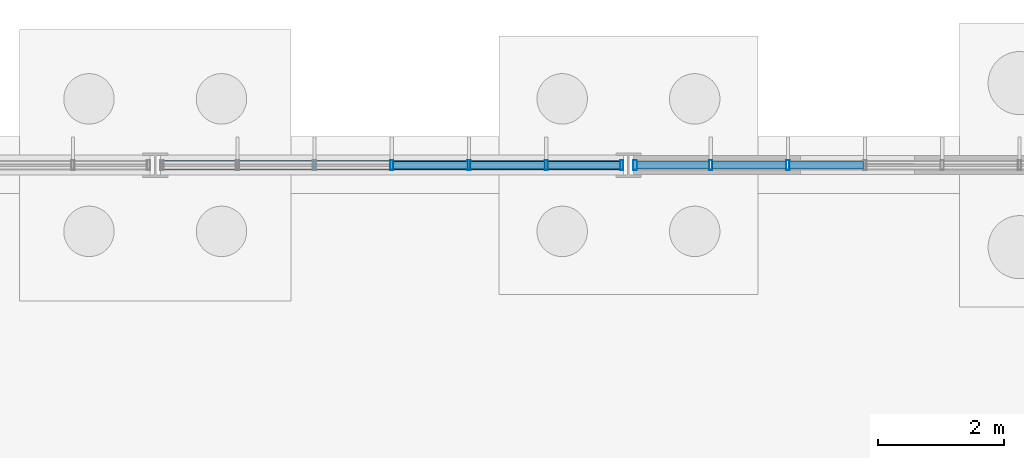
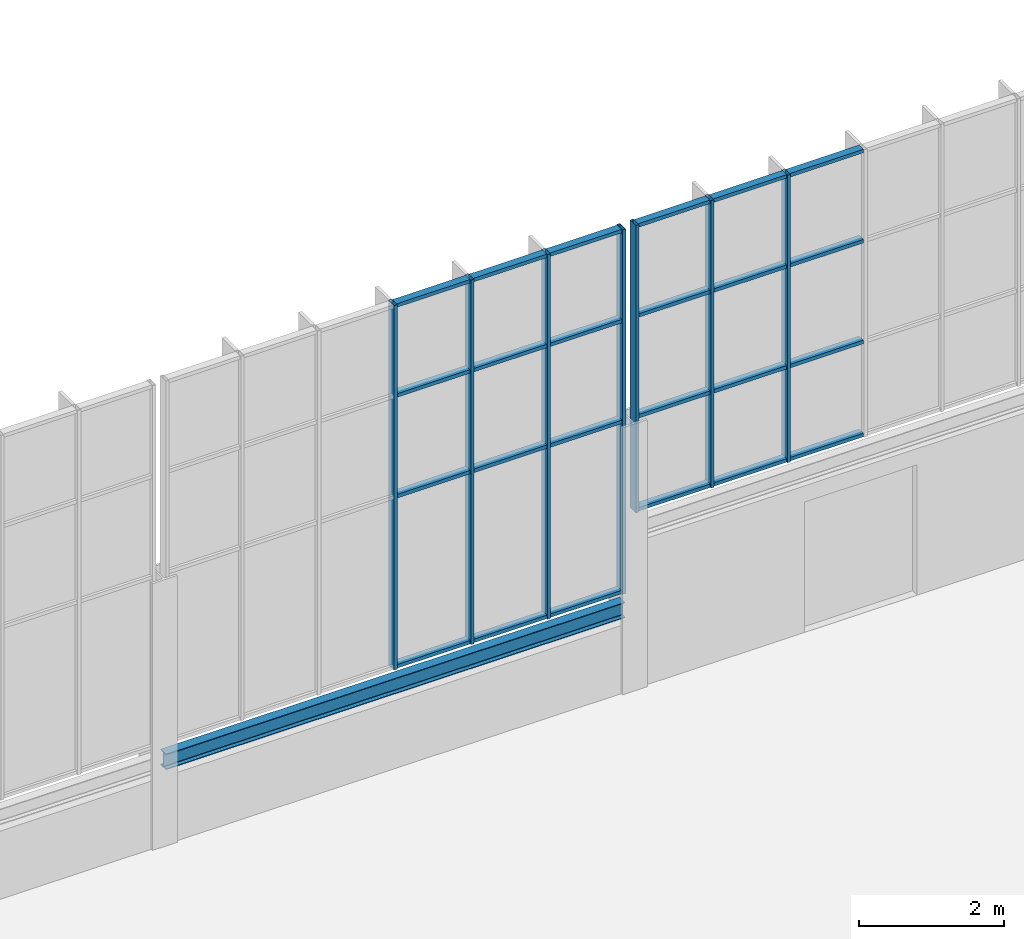
# One storey, part 56 of 136: 31 members, 1 beam, 2 elements without a shape of their own.
"""IFC4 building model written with IfcOpenShell, lengths in metres."""

from ifc_helpers import new_model, si_unit, direction, frame, origin, origin_2d, place, context, subcontext, project, spatial, hollow_rectangle, i_section, extrude, material, layer, layer_set, material_profile, profile_set, type_object, element, aggregate, save


model = new_model("IFC4")

# Units and contexts
model_context = context("Model", 3, precision=1e-05, world=origin(), true_north=direction((0.0, 1.0)))
body_context = subcontext(model_context, "Body", "Model", "MODEL_VIEW")
ifc_project = project(units=[si_unit("LENGTHUNIT", "METRE"), si_unit("AREAUNIT", "SQUARE_METRE"), si_unit("VOLUMEUNIT", "CUBIC_METRE"), si_unit("PLANEANGLEUNIT", "RADIAN"), si_unit("MASSUNIT", "GRAM", prefix="KILO")], contexts=[model_context])

# Site, building, storey
site_placement = place(None, origin())
site = spatial("IfcSite", under=ifc_project, at=site_placement, CompositionType="ELEMENT")
building_placement = place(site_placement, origin())
building = spatial("IfcBuilding", under=site, at=building_placement, Name="Solvenia Promenade Tram Depot", CompositionType="ELEMENT")
storey_placement = place(building_placement, origin())
storey = spatial("IfcBuildingStorey", under=building, at=storey_placement, Name="L00", CompositionType="ELEMENT", Elevation=0.0)

# Curtain wall, members
ifc_material_1 = material(Name="Anodized aluminium AW-6063 T6", Category="aluminium")
ifc_layer = layer(ifc_material_1, 0.159912109375, Name="Anodized aluminium AW-6063 T6", Category="aluminium")
ifc_layer_set = layer_set([ifc_layer], Name="Anodized aluminium AW-6063 T6")
curtain_wall_type = type_object("IfcCurtainWallType", Name="CW-Channel-1200", PredefinedType="NOTDEFINED", material=ifc_layer_set)
curtain_wall_1_placement = place(storey_placement, origin())
curtain_wall_1 = element("IfcCurtainWall", 1, at=curtain_wall_1_placement, inside=storey, type_object=curtain_wall_type, Name="North Translucent Channel-Glass Wall 04", PredefinedType="NOTDEFINED")
ifc_material_profile_1 = material_profile(ifc_material_1, hollow_rectangle(XDim=0.159912109375, YDim=0.052001953125, WallThickness=0.00390625, at=origin_2d()), Name="ALU-M1", Category="aluminium")
ifc_profile_set_1 = profile_set([ifc_material_profile_1], Name="Anodized aluminium AW-6063 T6")
member_type_1 = type_object("IfcMemberType", Name="CWM-Mullion-1", PredefinedType="MULLION", material=ifc_profile_set_1)
member_1_placement = place(storey_placement, frame((26.25, 126.0, 1.60009765625), z_axis=(0.0, 0.0, 1.0), x_axis=(0.0, 1.0, 0.0)))
member_1 = element("IfcMember", 2, at=member_1_placement, type_object=member_type_1, Name="CW-1 mullion 4", PredefinedType="MULLION", context=body_context, shape_type="SweptSolid", body=[
    extrude(hollow_rectangle(XDim=0.159912109375, YDim=0.052001953125, WallThickness=0.00390625, at=origin_2d()), origin(), (0.0, 0.0, 1.0), 6.14990234375),
])
member_2_placement = place(storey_placement, frame((27.473388671875, 126.0, 1.60009765625), z_axis=(0.0, 0.0, 1.0), x_axis=(0.0, 1.0, 0.0)))
member_2 = element("IfcMember", 3, at=member_2_placement, type_object=member_type_1, Name="CW-1 mullion 5", PredefinedType="MULLION", context=body_context, shape_type="SweptSolid", body=[
    extrude(hollow_rectangle(XDim=0.159912109375, YDim=0.052001953125, WallThickness=0.00390625, at=origin_2d()), origin(), (0.0, 0.0, 1.0), 6.14990234375),
])
member_3_placement = place(storey_placement, frame((28.69677734375, 126.0, 1.60009765625), z_axis=(0.0, 0.0, 1.0), x_axis=(0.0, 1.0, 0.0)))
member_3 = element("IfcMember", 4, at=member_3_placement, type_object=member_type_1, Name="CW-1 mullion 6", PredefinedType="MULLION", context=body_context, shape_type="SweptSolid", body=[
    extrude(hollow_rectangle(XDim=0.159912109375, YDim=0.052001953125, WallThickness=0.00390625, at=origin_2d()), origin(), (0.0, 0.0, 1.0), 6.14990234375),
])
member_4_placement = place(storey_placement, frame((29.89404296875, 126.0, 1.60009765625), z_axis=(0.0, 0.0, 1.0), x_axis=(0.0, 1.0, 0.0)))
member_4 = element("IfcMember", 5, at=member_4_placement, type_object=member_type_1, Name="CW-1 mullion 7", PredefinedType="MULLION", context=body_context, shape_type="SweptSolid", body=[
    extrude(hollow_rectangle(XDim=0.159912109375, YDim=0.052001953125, WallThickness=0.00390625, at=origin_2d()), origin(), (0.0, 0.0, 1.0), 6.14990234375),
])

curtain_wall_2_placement = place(storey_placement, origin())
curtain_wall_2 = element("IfcCurtainWall", 6, at=curtain_wall_2_placement, inside=storey, type_object=curtain_wall_type, Name="North Translucent Channel-Glass Wall 05", PredefinedType="NOTDEFINED")
member_5_placement = place(storey_placement, frame((30.10595703125, 126.0, 2.89990234375), z_axis=(0.0, 0.0, 1.0), x_axis=(0.0, 1.0, 0.0)))
member_5 = element("IfcMember", 7, at=member_5_placement, type_object=member_type_1, Name="CW-1 mullion 1", PredefinedType="MULLION", context=body_context, shape_type="SweptSolid", body=[
    extrude(hollow_rectangle(XDim=0.159912109375, YDim=0.052001953125, WallThickness=0.00390625, at=origin_2d()), origin(), (0.0, 0.0, 1.0), 4.85009765625),
])
member_6_placement = place(storey_placement, frame((31.30322265625, 126.0, 2.89990234375), z_axis=(0.0, 0.0, 1.0), x_axis=(0.0, 1.0, 0.0)))
member_6 = element("IfcMember", 8, at=member_6_placement, type_object=member_type_1, Name="CW-1 mullion 2", PredefinedType="MULLION", context=body_context, shape_type="SweptSolid", body=[
    extrude(hollow_rectangle(XDim=0.159912109375, YDim=0.052001953125, WallThickness=0.00390625, at=origin_2d()), origin(), (0.0, 0.0, 1.0), 4.85009765625),
])
member_7_placement = place(storey_placement, frame((32.526611328125, 126.0, 2.89990234375), z_axis=(0.0, 0.0, 1.0), x_axis=(0.0, 1.0, 0.0)))
member_7 = element("IfcMember", 9, at=member_7_placement, type_object=member_type_1, Name="CW-1 mullion 3", PredefinedType="MULLION", context=body_context, shape_type="SweptSolid", body=[
    extrude(hollow_rectangle(XDim=0.159912109375, YDim=0.052001953125, WallThickness=0.00390625, at=origin_2d()), origin(), (0.0, 0.0, 1.0), 4.85009765625),
])

# Member
ifc_material_profile_2 = material_profile(ifc_material_1, hollow_rectangle(XDim=0.1201171875, YDim=0.06005859375, WallThickness=0.00390625, at=origin_2d()), Name="ALU-T1", Category="aluminium")
ifc_profile_set_2 = profile_set([ifc_material_profile_2], Name="Anodized aluminium AW-6063 T6")
member_type_2 = type_object("IfcMemberType", Name="CWT-Transom-1", PredefinedType="USERDEFINED", material=ifc_profile_set_2)
member_8_placement = place(storey_placement, frame((26.27587890625, 126.0, 1.6298828125), z_axis=(1.0, 0.0, 0.0), x_axis=(0.0, 1.0, 0.0)))
member_8 = element("IfcMember", 10, at=member_8_placement, type_object=member_type_2, Name="CW-1 transom 4.1", ObjectType="TRANSOM", PredefinedType="USERDEFINED", context=body_context, shape_type="SweptSolid", body=[
    extrude(hollow_rectangle(XDim=0.1201171875, YDim=0.06005859375, WallThickness=0.00390625, at=origin_2d()), origin(), (0.0, 0.0, 1.0), 1.17138671875),
])

member_9_placement = place(storey_placement, frame((26.27587890625, 126.0, 4.5), z_axis=(1.0, 0.0, 0.0), x_axis=(0.0, 1.0, 0.0)))
member_9 = element("IfcMember", 11, at=member_9_placement, type_object=member_type_2, Name="CW-1 transom 4.2", ObjectType="TRANSOM", PredefinedType="USERDEFINED", context=body_context, shape_type="SweptSolid", body=[
    extrude(hollow_rectangle(XDim=0.1201171875, YDim=0.06005859375, WallThickness=0.00390625, at=origin_2d()), origin(), (0.0, 0.0, 1.0), 1.17138671875),
])

member_10_placement = place(storey_placement, frame((26.27587890625, 126.0, 6.199951171875), z_axis=(1.0, 0.0, 0.0), x_axis=(0.0, 1.0, 0.0)))
member_10 = element("IfcMember", 12, at=member_10_placement, type_object=member_type_2, Name="CW-1 transom 4.3", ObjectType="TRANSOM", PredefinedType="USERDEFINED", context=body_context, shape_type="SweptSolid", body=[
    extrude(hollow_rectangle(XDim=0.1201171875, YDim=0.06005859375, WallThickness=0.00390625, at=origin_2d()), origin(), (0.0, 0.0, 1.0), 1.17138671875),
])

member_11_placement = place(storey_placement, frame((26.27587890625, 126.0, 7.719970703125), z_axis=(1.0, 0.0, 0.0), x_axis=(0.0, 1.0, 0.0)))
member_11 = element("IfcMember", 13, at=member_11_placement, type_object=member_type_2, Name="CW-1 transom 4.4", ObjectType="TRANSOM", PredefinedType="USERDEFINED", context=body_context, shape_type="SweptSolid", body=[
    extrude(hollow_rectangle(XDim=0.1201171875, YDim=0.06005859375, WallThickness=0.00390625, at=origin_2d()), origin(), (0.0, 0.0, 1.0), 1.17138671875),
])

member_12_placement = place(storey_placement, frame((27.499267578125, 126.0, 1.6298828125), z_axis=(1.0, 0.0, 0.0), x_axis=(0.0, 1.0, 0.0)))
member_12 = element("IfcMember", 14, at=member_12_placement, type_object=member_type_2, Name="CW-1 transom 5.1", ObjectType="TRANSOM", PredefinedType="USERDEFINED", context=body_context, shape_type="SweptSolid", body=[
    extrude(hollow_rectangle(XDim=0.1201171875, YDim=0.06005859375, WallThickness=0.00390625, at=origin_2d()), origin(), (0.0, 0.0, 1.0), 1.17138671875),
])

member_13_placement = place(storey_placement, frame((27.499267578125, 126.0, 4.5), z_axis=(1.0, 0.0, 0.0), x_axis=(0.0, 1.0, 0.0)))
member_13 = element("IfcMember", 15, at=member_13_placement, type_object=member_type_2, Name="CW-1 transom 5.2", ObjectType="TRANSOM", PredefinedType="USERDEFINED", context=body_context, shape_type="SweptSolid", body=[
    extrude(hollow_rectangle(XDim=0.1201171875, YDim=0.06005859375, WallThickness=0.00390625, at=origin_2d()), origin(), (0.0, 0.0, 1.0), 1.17138671875),
])

member_14_placement = place(storey_placement, frame((27.499267578125, 126.0, 6.199951171875), z_axis=(1.0, 0.0, 0.0), x_axis=(0.0, 1.0, 0.0)))
member_14 = element("IfcMember", 16, at=member_14_placement, type_object=member_type_2, Name="CW-1 transom 5.3", ObjectType="TRANSOM", PredefinedType="USERDEFINED", context=body_context, shape_type="SweptSolid", body=[
    extrude(hollow_rectangle(XDim=0.1201171875, YDim=0.06005859375, WallThickness=0.00390625, at=origin_2d()), origin(), (0.0, 0.0, 1.0), 1.17138671875),
])

member_15_placement = place(storey_placement, frame((27.499267578125, 126.0, 7.719970703125), z_axis=(1.0, 0.0, 0.0), x_axis=(0.0, 1.0, 0.0)))
member_15 = element("IfcMember", 17, at=member_15_placement, type_object=member_type_2, Name="CW-1 transom 5.4", ObjectType="TRANSOM", PredefinedType="USERDEFINED", context=body_context, shape_type="SweptSolid", body=[
    extrude(hollow_rectangle(XDim=0.1201171875, YDim=0.06005859375, WallThickness=0.00390625, at=origin_2d()), origin(), (0.0, 0.0, 1.0), 1.17138671875),
])

member_16_placement = place(storey_placement, frame((28.72265625, 126.0, 1.6298828125), z_axis=(1.0, 0.0, 0.0), x_axis=(0.0, 1.0, 0.0)))
member_16 = element("IfcMember", 18, at=member_16_placement, type_object=member_type_2, Name="CW-1 transom 6.1", ObjectType="TRANSOM", PredefinedType="USERDEFINED", context=body_context, shape_type="SweptSolid", body=[
    extrude(hollow_rectangle(XDim=0.1201171875, YDim=0.06005859375, WallThickness=0.00390625, at=origin_2d()), origin(), (0.0, 0.0, 1.0), 1.145263671875),
])

member_17_placement = place(storey_placement, frame((28.72265625, 126.0, 4.5), z_axis=(1.0, 0.0, 0.0), x_axis=(0.0, 1.0, 0.0)))
member_17 = element("IfcMember", 19, at=member_17_placement, type_object=member_type_2, Name="CW-1 transom 6.2", ObjectType="TRANSOM", PredefinedType="USERDEFINED", context=body_context, shape_type="SweptSolid", body=[
    extrude(hollow_rectangle(XDim=0.1201171875, YDim=0.06005859375, WallThickness=0.00390625, at=origin_2d()), origin(), (0.0, 0.0, 1.0), 1.145263671875),
])

member_18_placement = place(storey_placement, frame((28.72265625, 126.0, 6.199951171875), z_axis=(1.0, 0.0, 0.0), x_axis=(0.0, 1.0, 0.0)))
member_18 = element("IfcMember", 20, at=member_18_placement, type_object=member_type_2, Name="CW-1 transom 6.3", ObjectType="TRANSOM", PredefinedType="USERDEFINED", context=body_context, shape_type="SweptSolid", body=[
    extrude(hollow_rectangle(XDim=0.1201171875, YDim=0.06005859375, WallThickness=0.00390625, at=origin_2d()), origin(), (0.0, 0.0, 1.0), 1.145263671875),
])

member_19_placement = place(storey_placement, frame((28.72265625, 126.0, 7.719970703125), z_axis=(1.0, 0.0, 0.0), x_axis=(0.0, 1.0, 0.0)))
member_19 = element("IfcMember", 21, at=member_19_placement, type_object=member_type_2, Name="CW-1 transom 6.4", ObjectType="TRANSOM", PredefinedType="USERDEFINED", context=body_context, shape_type="SweptSolid", body=[
    extrude(hollow_rectangle(XDim=0.1201171875, YDim=0.06005859375, WallThickness=0.00390625, at=origin_2d()), origin(), (0.0, 0.0, 1.0), 1.145263671875),
])

aggregate(curtain_wall_1, [member_1, member_2, member_3, member_4, member_8, member_9, member_10, member_11, member_12, member_13, member_14, member_15, member_16, member_17, member_18, member_19])

member_20_placement = place(storey_placement, frame((30.132080078125, 126.0, 2.929931640625), z_axis=(1.0, 0.0, 0.0), x_axis=(0.0, 1.0, 0.0)))
member_20 = element("IfcMember", 22, at=member_20_placement, type_object=member_type_2, Name="CW-1 transom 1.1", ObjectType="TRANSOM", PredefinedType="USERDEFINED", context=body_context, shape_type="SweptSolid", body=[
    extrude(hollow_rectangle(XDim=0.1201171875, YDim=0.06005859375, WallThickness=0.00390625, at=origin_2d()), origin(), (0.0, 0.0, 1.0), 1.145263671875),
])

member_21_placement = place(storey_placement, frame((30.132080078125, 126.0, 4.5), z_axis=(1.0, 0.0, 0.0), x_axis=(0.0, 1.0, 0.0)))
member_21 = element("IfcMember", 23, at=member_21_placement, type_object=member_type_2, Name="CW-1 transom 1.2", ObjectType="TRANSOM", PredefinedType="USERDEFINED", context=body_context, shape_type="SweptSolid", body=[
    extrude(hollow_rectangle(XDim=0.1201171875, YDim=0.06005859375, WallThickness=0.00390625, at=origin_2d()), origin(), (0.0, 0.0, 1.0), 1.145263671875),
])

member_22_placement = place(storey_placement, frame((30.132080078125, 126.0, 6.199951171875), z_axis=(1.0, 0.0, 0.0), x_axis=(0.0, 1.0, 0.0)))
member_22 = element("IfcMember", 24, at=member_22_placement, type_object=member_type_2, Name="CW-1 transom 1.3", ObjectType="TRANSOM", PredefinedType="USERDEFINED", context=body_context, shape_type="SweptSolid", body=[
    extrude(hollow_rectangle(XDim=0.1201171875, YDim=0.06005859375, WallThickness=0.00390625, at=origin_2d()), origin(), (0.0, 0.0, 1.0), 1.145263671875),
])

member_23_placement = place(storey_placement, frame((30.132080078125, 126.0, 7.719970703125), z_axis=(1.0, 0.0, 0.0), x_axis=(0.0, 1.0, 0.0)))
member_23 = element("IfcMember", 25, at=member_23_placement, type_object=member_type_2, Name="CW-1 transom 1.4", ObjectType="TRANSOM", PredefinedType="USERDEFINED", context=body_context, shape_type="SweptSolid", body=[
    extrude(hollow_rectangle(XDim=0.1201171875, YDim=0.06005859375, WallThickness=0.00390625, at=origin_2d()), origin(), (0.0, 0.0, 1.0), 1.145263671875),
])

member_24_placement = place(storey_placement, frame((31.329345703125, 126.0, 2.929931640625), z_axis=(1.0, 0.0, 0.0), x_axis=(0.0, 1.0, 0.0)))
member_24 = element("IfcMember", 26, at=member_24_placement, type_object=member_type_2, Name="CW-1 transom 2.1", ObjectType="TRANSOM", PredefinedType="USERDEFINED", context=body_context, shape_type="SweptSolid", body=[
    extrude(hollow_rectangle(XDim=0.1201171875, YDim=0.06005859375, WallThickness=0.00390625, at=origin_2d()), origin(), (0.0, 0.0, 1.0), 1.17138671875),
])

member_25_placement = place(storey_placement, frame((31.329345703125, 126.0, 4.5), z_axis=(1.0, 0.0, 0.0), x_axis=(0.0, 1.0, 0.0)))
member_25 = element("IfcMember", 27, at=member_25_placement, type_object=member_type_2, Name="CW-1 transom 2.2", ObjectType="TRANSOM", PredefinedType="USERDEFINED", context=body_context, shape_type="SweptSolid", body=[
    extrude(hollow_rectangle(XDim=0.1201171875, YDim=0.06005859375, WallThickness=0.00390625, at=origin_2d()), origin(), (0.0, 0.0, 1.0), 1.17138671875),
])

member_26_placement = place(storey_placement, frame((31.329345703125, 126.0, 6.199951171875), z_axis=(1.0, 0.0, 0.0), x_axis=(0.0, 1.0, 0.0)))
member_26 = element("IfcMember", 28, at=member_26_placement, type_object=member_type_2, Name="CW-1 transom 2.3", ObjectType="TRANSOM", PredefinedType="USERDEFINED", context=body_context, shape_type="SweptSolid", body=[
    extrude(hollow_rectangle(XDim=0.1201171875, YDim=0.06005859375, WallThickness=0.00390625, at=origin_2d()), origin(), (0.0, 0.0, 1.0), 1.17138671875),
])

member_27_placement = place(storey_placement, frame((31.329345703125, 126.0, 7.719970703125), z_axis=(1.0, 0.0, 0.0), x_axis=(0.0, 1.0, 0.0)))
member_27 = element("IfcMember", 29, at=member_27_placement, type_object=member_type_2, Name="CW-1 transom 2.4", ObjectType="TRANSOM", PredefinedType="USERDEFINED", context=body_context, shape_type="SweptSolid", body=[
    extrude(hollow_rectangle(XDim=0.1201171875, YDim=0.06005859375, WallThickness=0.00390625, at=origin_2d()), origin(), (0.0, 0.0, 1.0), 1.17138671875),
])

member_28_placement = place(storey_placement, frame((32.552734375, 126.0, 2.929931640625), z_axis=(1.0, 0.0, 0.0), x_axis=(0.0, 1.0, 0.0)))
member_28 = element("IfcMember", 30, at=member_28_placement, type_object=member_type_2, Name="CW-1 transom 3.1", ObjectType="TRANSOM", PredefinedType="USERDEFINED", context=body_context, shape_type="SweptSolid", body=[
    extrude(hollow_rectangle(XDim=0.1201171875, YDim=0.06005859375, WallThickness=0.00390625, at=origin_2d()), origin(), (0.0, 0.0, 1.0), 1.17138671875),
])

member_29_placement = place(storey_placement, frame((32.552734375, 126.0, 4.5), z_axis=(1.0, 0.0, 0.0), x_axis=(0.0, 1.0, 0.0)))
member_29 = element("IfcMember", 31, at=member_29_placement, type_object=member_type_2, Name="CW-1 transom 3.2", ObjectType="TRANSOM", PredefinedType="USERDEFINED", context=body_context, shape_type="SweptSolid", body=[
    extrude(hollow_rectangle(XDim=0.1201171875, YDim=0.06005859375, WallThickness=0.00390625, at=origin_2d()), origin(), (0.0, 0.0, 1.0), 1.17138671875),
])

member_30_placement = place(storey_placement, frame((32.552734375, 126.0, 6.199951171875), z_axis=(1.0, 0.0, 0.0), x_axis=(0.0, 1.0, 0.0)))
member_30 = element("IfcMember", 32, at=member_30_placement, type_object=member_type_2, Name="CW-1 transom 3.3", ObjectType="TRANSOM", PredefinedType="USERDEFINED", context=body_context, shape_type="SweptSolid", body=[
    extrude(hollow_rectangle(XDim=0.1201171875, YDim=0.06005859375, WallThickness=0.00390625, at=origin_2d()), origin(), (0.0, 0.0, 1.0), 1.17138671875),
])

member_31_placement = place(storey_placement, frame((32.552734375, 126.0, 7.719970703125), z_axis=(1.0, 0.0, 0.0), x_axis=(0.0, 1.0, 0.0)))
member_31 = element("IfcMember", 33, at=member_31_placement, type_object=member_type_2, Name="CW-1 transom 3.4", ObjectType="TRANSOM", PredefinedType="USERDEFINED", context=body_context, shape_type="SweptSolid", body=[
    extrude(hollow_rectangle(XDim=0.1201171875, YDim=0.06005859375, WallThickness=0.00390625, at=origin_2d()), origin(), (0.0, 0.0, 1.0), 1.17138671875),
])

aggregate(curtain_wall_2, [member_5, member_6, member_7, member_20, member_21, member_22, member_23, member_24, member_25, member_26, member_27, member_28, member_29, member_30, member_31])

# Beam
ifc_material_2 = material(Name="Structural steel ASTM A992 Gr. 50", Category="steel")
ifc_material_profile_3 = material_profile(ifc_material_2, i_section(OverallWidth=0.14697265625, OverallDepth=0.261962890625, WebThickness=0.006591796875, FlangeThickness=0.01123046875, FilletRadius=0.010009765625, at=origin_2d()), Name="W250x39", Category="steel")
ifc_profile_set_3 = profile_set([ifc_material_profile_3], Name="Structural steel ASTM A992 Gr. 50")
beam_type = type_object("IfcBeamType", Name="Lintel-W250x39", PredefinedType="LINTEL", material=ifc_profile_set_3)
beam_placement = place(storey_placement, frame((22.5849609375, 126.0, 1.319091796875), z_axis=(1.0, 0.0, 0.0), x_axis=(0.0, 1.0, 0.0)))
element("IfcBeam", 34, at=beam_placement, inside=storey, type_object=beam_type, Name="North Plinth Header Beam 4 BM-L00-0937", PredefinedType="LINTEL", context=body_context, shape_type="SweptSolid", body=[
    extrude(i_section(OverallWidth=0.14697265625, OverallDepth=0.261962890625, WebThickness=0.006591796875, FlangeThickness=0.01123046875, FilletRadius=0.010009765625, at=origin_2d()), origin(), (0.0, 0.0, 1.0), 7.330078125),
])

save(model, "model.ifc")
